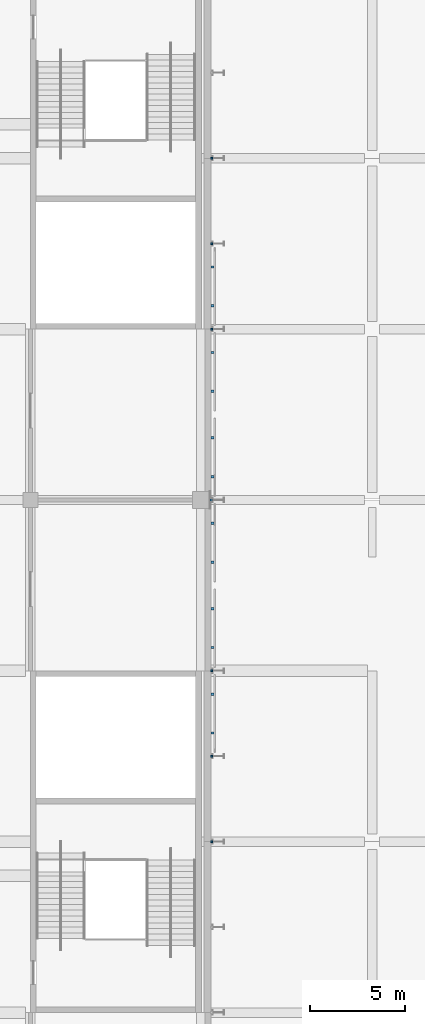
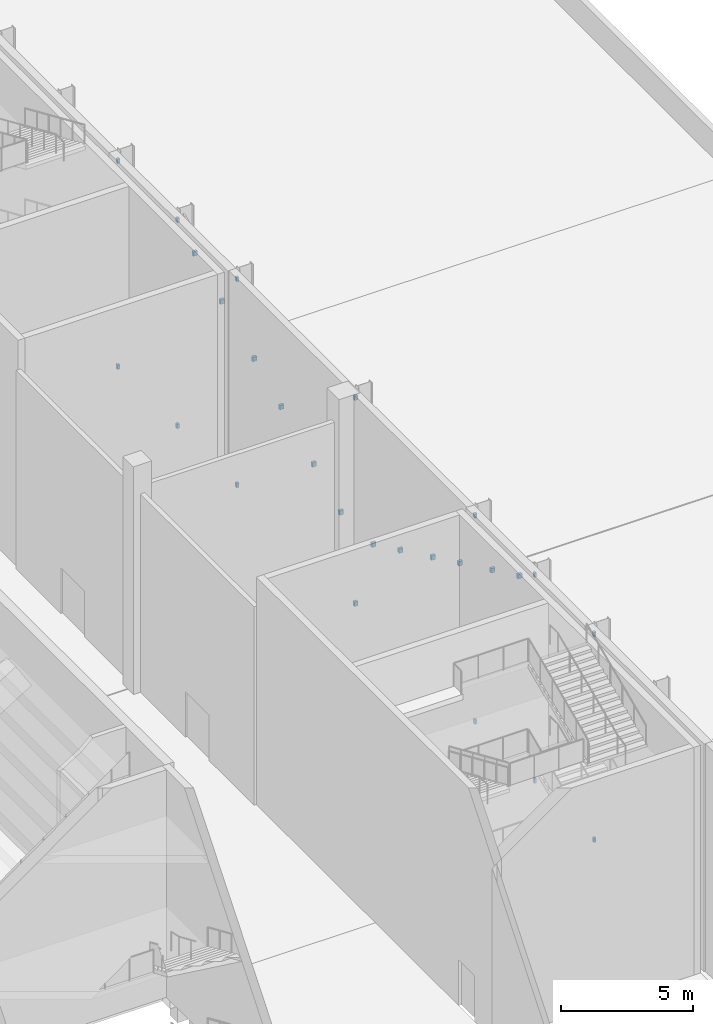
# One storey, part 125 of 182: 26 discrete accessories.
"""IFC4 building model written with IfcOpenShell, lengths in metres."""

from ifc_helpers import new_model, si_unit, direction, frame, origin, origin_2d, place, context, subcontext, project, spatial, rectangle, extrude, material, type_object, element, save


model = new_model("IFC4")

# Units and contexts
model_context = context("Model", 3, precision=1e-05, world=origin(), true_north=direction((0.0, 1.0)))
body_context = subcontext(model_context, "Body", "Model", "MODEL_VIEW")
ifc_project = project(units=[si_unit("LENGTHUNIT", "METRE"), si_unit("AREAUNIT", "SQUARE_METRE"), si_unit("VOLUMEUNIT", "CUBIC_METRE"), si_unit("PLANEANGLEUNIT", "RADIAN"), si_unit("MASSUNIT", "GRAM", prefix="KILO")], contexts=[model_context])

# Site, building, storey
site_placement = place(None, origin())
site = spatial("IfcSite", under=ifc_project, at=site_placement, CompositionType="ELEMENT")
building_placement = place(site_placement, origin())
building = spatial("IfcBuilding", under=site, at=building_placement, Name="Silverbay Arena", CompositionType="ELEMENT")
storey_placement = place(building_placement, frame((0.0, 0.0, 11.5)))
storey = spatial("IfcBuildingStorey", under=building, at=storey_placement, Name="L02", CompositionType="ELEMENT", Elevation=11.5)

# Discrete accessories
ifc_material = material(Name="Steel S355", Category="steel")
discrete_accessory_type = type_object("IfcDiscreteAccessoryType", Name="Steel bracket plate", PredefinedType="BRACKET", material=ifc_material)
for number, where, z_axis, x_axis, name in (
    (1, (207.550048828125, 63.0, 0.39990234375), (0.0, 0.0, 1.0), (1.0, 0.0, 0.0), "Fin bracket"),
    (2, (207.550048828125, 63.0, 9.89990234375), (0.0, 0.0, 1.0), (1.0, 0.0, 0.0), "Fin bracket"),
    (3, (207.550048828125, 67.5, 0.39990234375), (0.0, 0.0, 1.0), (1.0, 0.0, 0.0), "Fin bracket"),
    (4, (207.550048828125, 67.5, 9.89990234375), (0.0, 0.0, 1.0), (1.0, 0.0, 0.0), "Fin bracket"),
    (5, (207.550048828125, 72.0, 0.39990234375), (0.0, 0.0, 1.0), (1.0, 0.0, 0.0), "Fin bracket"),
    (6, (207.550048828125, 72.0, 9.89990234375), (0.0, 0.0, 1.0), (1.0, 0.0, 0.0), "Fin bracket"),
):
    element("IfcDiscreteAccessory", number, at=place(storey_placement, frame(where, z_axis=z_axis, x_axis=x_axis)), inside=storey, type_object=discrete_accessory_type, Name=name, PredefinedType="BRACKET", context=body_context, shape_type="SweptSolid", body=[
        extrude(rectangle(XDim=0.10009765625, YDim=0.1201171875, at=origin_2d()), origin(), (0.0, 0.0, 1.0), 0.199951171875),
    ])
for number, where, z_axis, x_axis, name in (
    (7, (207.52490234375, 81.0, 0.39990234375), (0.0, 0.0, 1.0), (1.0, 0.0, 0.0), "Fin bracket"),
    (8, (207.52490234375, 81.0, 9.89990234375), (0.0, 0.0, 1.0), (1.0, 0.0, 0.0), "Fin bracket"),
):
    element("IfcDiscreteAccessory", number, at=place(storey_placement, frame(where, z_axis=z_axis, x_axis=x_axis)), inside=storey, type_object=discrete_accessory_type, Name=name, PredefinedType="BRACKET", context=body_context, shape_type="SweptSolid", body=[
        extrude(rectangle(XDim=0.14990234375, YDim=0.1201171875, at=origin_2d()), origin(), (0.0, 0.0, 1.0), 0.199951171875),
    ])
for number, where, z_axis, x_axis, name in (
    (9, (207.550048828125, 90.0, 0.39990234375), (0.0, 0.0, 1.0), (1.0, 0.0, 0.0), "Fin bracket"),
    (10, (207.550048828125, 90.0, 9.89990234375), (0.0, 0.0, 1.0), (1.0, 0.0, 0.0), "Fin bracket"),
    (11, (207.550048828125, 94.5, 0.39990234375), (0.0, 0.0, 1.0), (1.0, 0.0, 0.0), "Fin bracket"),
    (12, (207.550048828125, 94.5, 9.89990234375), (0.0, 0.0, 1.0), (1.0, 0.0, 0.0), "Fin bracket"),
    (13, (207.550048828125, 99.0, 0.39990234375), (0.0, 0.0, 1.0), (1.0, 0.0, 0.0), "Fin bracket"),
    (14, (207.550048828125, 99.0, 9.89990234375), (0.0, 0.0, 1.0), (1.0, 0.0, 0.0), "Fin bracket"),
):
    element("IfcDiscreteAccessory", number, at=place(storey_placement, frame(where, z_axis=z_axis, x_axis=x_axis)), inside=storey, type_object=discrete_accessory_type, Name=name, PredefinedType="BRACKET", context=body_context, shape_type="SweptSolid", body=[
        extrude(rectangle(XDim=0.10009765625, YDim=0.1201171875, at=origin_2d()), origin(), (0.0, 0.0, 1.0), 0.199951171875),
    ])
for number, where, z_axis, x_axis, name in (
    (15, (207.590087890625, 68.72509765625, 9.0947265625), (0.0, 0.0, 1.0), (1.0, 0.0, 0.0), "Band bracket"),
    (16, (207.590087890625, 70.77490234375, 8.12109375), (0.0, 0.0, 1.0), (1.0, 0.0, 0.0), "Band bracket"),
    (17, (207.590087890625, 73.22509765625, 6.95751953125), (0.0, 0.0, 1.0), (1.0, 0.0, 0.0), "Band bracket"),
    (18, (207.590087890625, 75.27490234375, 5.9833984375), (0.0, 0.0, 1.0), (1.0, 0.0, 0.0), "Band bracket"),
    (19, (207.590087890625, 77.72509765625, 4.81982421875), (0.0, 0.0, 1.0), (1.0, 0.0, 0.0), "Band bracket"),
    (20, (207.590087890625, 79.77490234375, 3.84619140625), (0.0, 0.0, 1.0), (1.0, 0.0, 0.0), "Band bracket"),
    (21, (207.590087890625, 82.22509765625, 3.84619140625), (0.0, 0.0, 1.0), (1.0, 0.0, 0.0), "Band bracket"),
    (22, (207.590087890625, 84.27490234375, 4.81982421875), (0.0, 0.0, 1.0), (1.0, 0.0, 0.0), "Band bracket"),
    (23, (207.590087890625, 86.72509765625, 5.9833984375), (0.0, 0.0, 1.0), (1.0, 0.0, 0.0), "Band bracket"),
    (24, (207.590087890625, 88.77490234375, 6.95751953125), (0.0, 0.0, 1.0), (1.0, 0.0, 0.0), "Band bracket"),
    (25, (207.590087890625, 91.22509765625, 8.12109375), (0.0, 0.0, 1.0), (1.0, 0.0, 0.0), "Band bracket"),
    (26, (207.590087890625, 93.27490234375, 9.0947265625), (0.0, 0.0, 1.0), (1.0, 0.0, 0.0), "Band bracket"),
):
    element("IfcDiscreteAccessory", number, at=place(storey_placement, frame(where, z_axis=z_axis, x_axis=x_axis)), inside=storey, type_object=discrete_accessory_type, Name=name, PredefinedType="BRACKET", context=body_context, shape_type="SweptSolid", body=[
        extrude(rectangle(XDim=0.179931640625, YDim=0.1201171875, at=origin_2d()), origin(), (0.0, 0.0, 1.0), 0.199951171875),
    ])

save(model, "model.ifc")
